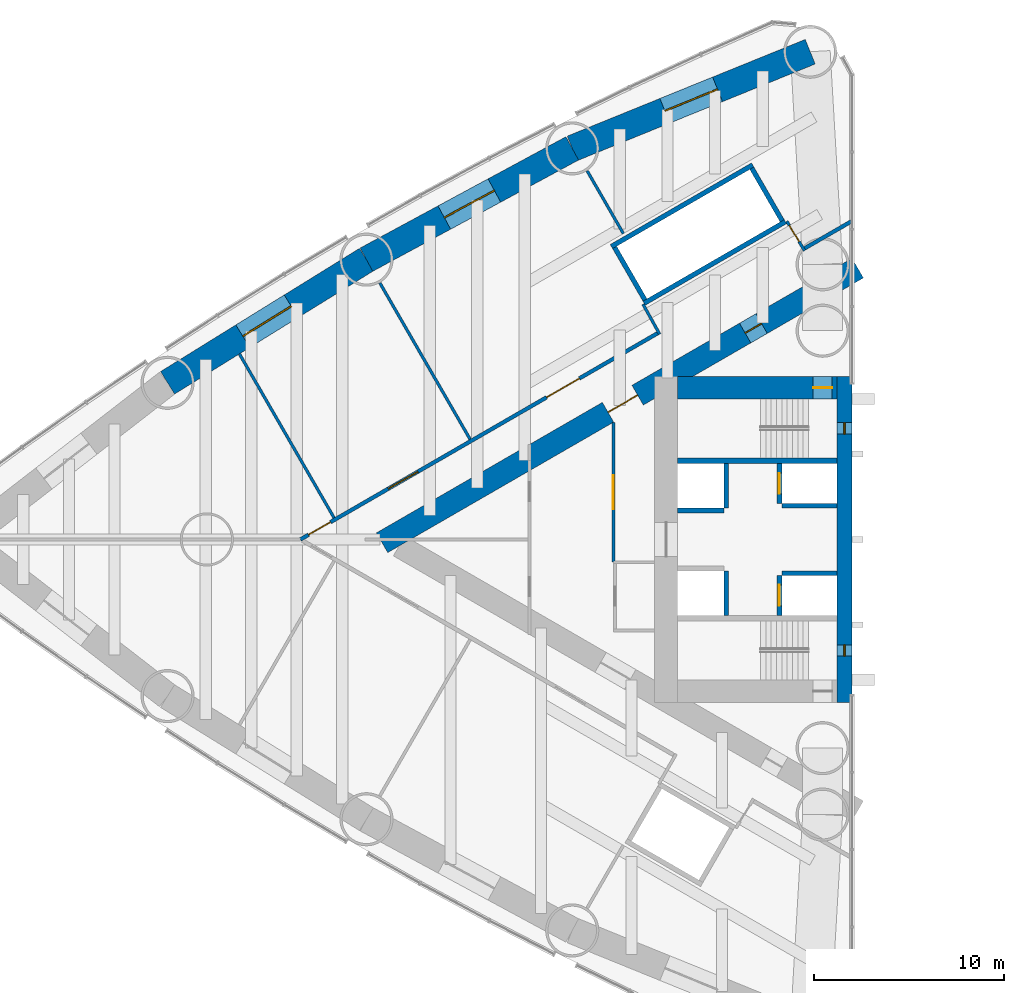
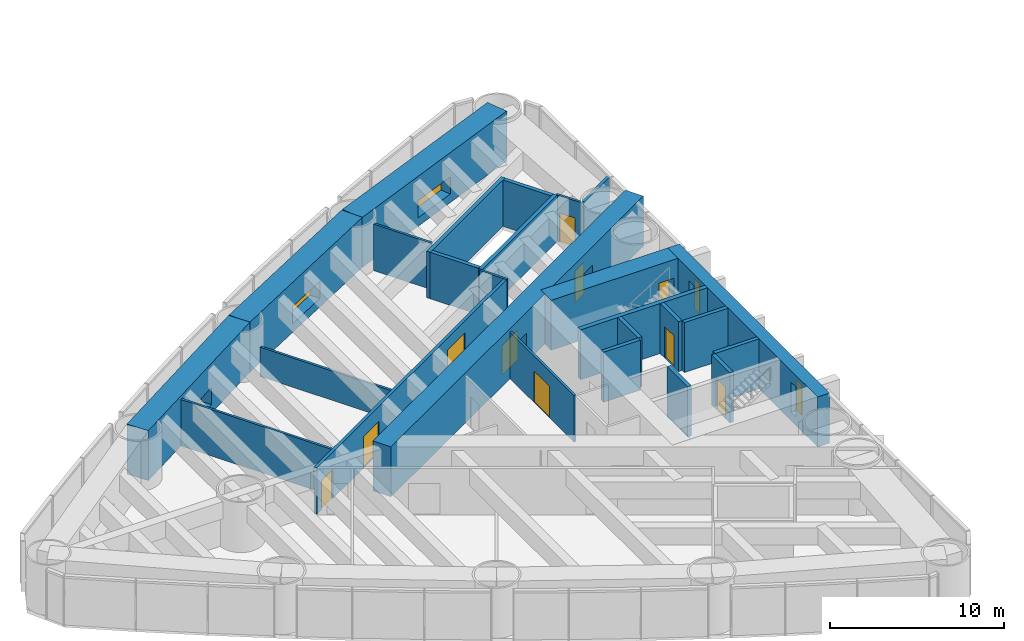
# One storey, part 16 of 20: 26 walls, 10 doors, 5 windows, 15 openings.
"""IFC4 building model written with IfcOpenShell, lengths in metres."""

from ifc_helpers import new_model, si_unit, direction, frame, frame_2d, origin, place, context, subcontext, project, spatial, rectangle, extrude, material, layer, layer_set, type_object, element, fill, save


model = new_model("IFC4")

# Units and contexts
model_context = context("Model", 3, precision=1e-05, world=origin(), true_north=direction((0.0, 1.0)))
body_context = subcontext(model_context, "Body", "Model", "MODEL_VIEW")
ifc_project = project(units=[si_unit("LENGTHUNIT", "METRE"), si_unit("AREAUNIT", "SQUARE_METRE"), si_unit("VOLUMEUNIT", "CUBIC_METRE"), si_unit("PLANEANGLEUNIT", "RADIAN"), si_unit("MASSUNIT", "GRAM", prefix="KILO")], contexts=[model_context])

# Site, building, storey
site_placement = place(None, origin())
site = spatial("IfcSite", under=ifc_project, at=site_placement, CompositionType="ELEMENT")
building_placement = place(site_placement, origin())
building = spatial("IfcBuilding", under=site, at=building_placement, Name="Lancet Gate Hotel", CompositionType="ELEMENT")
storey_placement = place(building_placement, frame((0.0, 0.0, 77.5)))
storey = spatial("IfcBuildingStorey", under=building, at=storey_placement, Name="L20", CompositionType="ELEMENT", Elevation=77.5)

# Wall, opening, window
ifc_material_1 = material(Name="Concrete C80/95", Category="concrete")
ifc_layer_1 = layer(ifc_material_1, 1.39990234375)
ifc_layer_set_1 = layer_set([ifc_layer_1], Name="Belt wall 1400")
wall_type_1 = type_object("IfcWallType", Name="Belt wall 1400", PredefinedType="SHEAR", material=ifc_layer_set_1)
wall_1_placement = place(storey_placement, frame((-29.703369140625, 25.70263671875, 0.0), z_axis=(0.0, 0.0, 1.0), x_axis=(-0.926463236197, -0.376385270667, 0.0)))
wall_1 = element("IfcWall", 1, at=wall_1_placement, inside=storey, type_object=wall_type_1, Name="T1 belt wall CS-OS1 L20", PredefinedType="SHEAR", context=body_context, shape_type="SweptSolid", body=[
    extrude(rectangle(XDim=13.537353515625, YDim=1.39990234375, at=frame_2d((6.7685546875, 0.0))), origin(), (0.0, 0.0, 1.0), 3.5),
])
opening_1_placement = place(wall_1_placement, frame((5.268798828125, 0.0, 0.60009765625)))
opening_1 = element("IfcOpeningElement", 2, at=opening_1_placement, cuts=wall_1, Name="Opening LV1", PredefinedType="OPENING", context=body_context, shape_type="SweptSolid", body=[
    extrude(rectangle(XDim=3.0, YDim=1.199951171875, at=frame_2d((1.5, 0.60009765625))), frame((0.0, 0.7099609375, 0.0), z_axis=(0.0, -1.0, 0.0), x_axis=(1.0, 0.0, 0.0)), (0.0, 0.0, 1.0), 1.419921875),
])
ifc_material_2 = material(Name="Aluminium weather louvre", Category="aluminium")
window_type_1 = type_object("IfcWindowType", Name="Refuge louvre 3000x1200", PartitioningType="SINGLE_PANEL", PredefinedType="WINDOW", material=ifc_material_2)
window_1_placement = place(opening_1_placement, origin())
window_1 = element("IfcWindow", 3, at=window_1_placement, inside=storey, type_object=window_type_1, Name="T1 belt louvre CS-OS1 L20", OverallHeight=1.199951171875, OverallWidth=3.0, PartitioningType="SINGLE_PANEL", PredefinedType="WINDOW", context=body_context, shape_type="SweptSolid", body=[
    extrude(rectangle(XDim=3.0, YDim=1.199951171875, at=frame_2d((1.5, 0.60009765625))), frame((0.0, 0.030029296875, 0.0), z_axis=(0.0, -1.0, 0.0), x_axis=(1.0, 0.0, 0.0)), (0.0, 0.0, 1.0), 0.06005859375),
])
fill(opening_1, window_1)

wall_2_placement = place(storey_placement, frame((-42.2451171875, 20.607421875, 0.0), z_axis=(0.0, 0.0, 1.0), x_axis=(-0.879692855603, -0.475542300749, 0.0)))
wall_2 = element("IfcWall", 4, at=wall_2_placement, inside=storey, type_object=wall_type_1, Name="T1 belt wall OS1-OS2 L20", PredefinedType="SHEAR", context=body_context, shape_type="SweptSolid", body=[
    extrude(rectangle(XDim=12.328125, YDim=1.39990234375, at=frame_2d((6.1640625, 0.0))), origin(), (0.0, 0.0, 1.0), 3.5),
])
opening_2_placement = place(wall_2_placement, frame((4.6640625, 0.0, 0.60009765625)))
opening_2 = element("IfcOpeningElement", 5, at=opening_2_placement, cuts=wall_2, Name="Opening LV1", PredefinedType="OPENING", context=body_context, shape_type="SweptSolid", body=[
    extrude(rectangle(XDim=3.0, YDim=1.199951171875, at=frame_2d((1.5, 0.60009765625))), frame((0.0, 0.7099609375, 0.0), z_axis=(0.0, -1.0, 0.0), x_axis=(1.0, 0.0, 0.0)), (0.0, 0.0, 1.0), 1.419921875),
])
window_2_placement = place(opening_2_placement, origin())
window_2 = element("IfcWindow", 6, at=window_2_placement, inside=storey, type_object=window_type_1, Name="T1 belt louvre OS1-OS2 L20", OverallHeight=1.199951171875, OverallWidth=3.0, PartitioningType="SINGLE_PANEL", PredefinedType="WINDOW", context=body_context, shape_type="SweptSolid", body=[
    extrude(rectangle(XDim=3.0, YDim=1.199951171875, at=frame_2d((1.5, 0.60009765625))), frame((0.0, 0.030029296875, 0.0), z_axis=(0.0, -1.0, 0.0), x_axis=(1.0, 0.0, 0.0)), (0.0, 0.0, 1.0), 0.06005859375),
])
fill(opening_2, window_2)

wall_3_placement = place(storey_placement, frame((-53.090087890625, 14.744873046875, 0.0), z_axis=(0.0, 0.0, 1.0), x_axis=(-0.850225894333, -0.526418016984, 0.0)))
wall_3 = element("IfcWall", 7, at=wall_3_placement, inside=storey, type_object=wall_type_1, Name="T1 belt wall OS2-OS3 L20", PredefinedType="SHEAR", context=body_context, shape_type="SweptSolid", body=[
    extrude(rectangle(XDim=12.328125, YDim=1.39990234375, at=frame_2d((6.1640625, 0.0))), origin(), (0.0, 0.0, 1.0), 3.5),
])
opening_3_placement = place(wall_3_placement, frame((4.6640625, 0.0, 0.60009765625)))
opening_3 = element("IfcOpeningElement", 8, at=opening_3_placement, cuts=wall_3, Name="Opening LV1", PredefinedType="OPENING", context=body_context, shape_type="SweptSolid", body=[
    extrude(rectangle(XDim=3.0, YDim=1.199951171875, at=frame_2d((1.5, 0.60009765625))), frame((0.0, 0.7099609375, 0.0), z_axis=(0.0, -1.0, 0.0), x_axis=(1.0, 0.0, 0.0)), (0.0, 0.0, 1.0), 1.419921875),
])
window_3_placement = place(opening_3_placement, origin())
window_3 = element("IfcWindow", 9, at=window_3_placement, inside=storey, type_object=window_type_1, Name="T1 belt louvre OS2-OS3 L20", OverallHeight=1.199951171875, OverallWidth=3.0, PartitioningType="SINGLE_PANEL", PredefinedType="WINDOW", context=body_context, shape_type="SweptSolid", body=[
    extrude(rectangle(XDim=3.0, YDim=1.199951171875, at=frame_2d((1.5, 0.60009765625))), frame((0.0, 0.030029296875, 0.0), z_axis=(0.0, -1.0, 0.0), x_axis=(1.0, 0.0, 0.0)), (0.0, 0.0, 1.0), 0.06005859375),
])
fill(opening_3, window_3)

# Wall, openings, doors
ifc_material_3 = material(Name="Concrete C70/85", Category="concrete")
ifc_layer_2 = layer(ifc_material_3, 1.199951171875)
ifc_layer_set_2 = layer_set([ifc_layer_2], Name="Buttress wall 1200")
wall_type_2 = type_object("IfcWallType", Name="Buttress wall 1200", PredefinedType="SHEAR", material=ifc_layer_set_2)
wall_4_placement = place(storey_placement, frame((-27.199951171875, 14.300048828125, 0.0), z_axis=(0.0, 0.0, 1.0), x_axis=(-0.866026593062, -0.499997940104, 0.0)))
wall_4 = element("IfcWall", 10, at=wall_4_placement, inside=storey, type_object=wall_type_2, Name="T1 buttress wall S L20", PredefinedType="SHEAR", context=body_context, shape_type="SweptSolid", body=[
    extrude(rectangle(XDim=28.9462890625, YDim=1.199951171875, at=frame_2d((14.47314453125, 0.0))), origin(), (0.0, 0.0, 1.0), 3.5),
])
opening_4_placement = place(wall_4_placement, frame((5.85009765625, 0.0, 0.0)))
opening_4 = element("IfcOpeningElement", 11, at=opening_4_placement, cuts=wall_4, Name="Opening T1-L20-LS", PredefinedType="OPENING", context=body_context, shape_type="SweptSolid", body=[
    extrude(rectangle(XDim=1.0, YDim=2.199951171875, at=frame_2d((0.5, 1.10009765625))), frame((0.0, 0.60986328125, 0.0), z_axis=(0.0, -1.0, 0.0), x_axis=(1.0, 0.0, 0.0)), (0.0, 0.0, 1.0), 1.219970703125),
])
opening_5_placement = place(wall_4_placement, frame((13.39453125, 0.0, 0.0)))
opening_5 = element("IfcOpeningElement", 12, at=opening_5_placement, cuts=wall_4, Name="Opening T1-L20-LHS", PredefinedType="OPENING", context=body_context, shape_type="SweptSolid", body=[
    extrude(rectangle(XDim=1.800048828125, YDim=2.0400390625, at=frame_2d((0.89990234375, 1.02001953125))), frame((0.0, 0.60986328125, 0.0), z_axis=(0.0, -1.0, 0.0), x_axis=(1.0, 0.0, 0.0)), (0.0, 0.0, 1.0), 1.219970703125),
])
ifc_material_4 = material(Name="Timber door set", Category="wood")
door_type_1 = type_object("IfcDoorType", Name="Lobby double door 1800, 2040 high", OperationType="DOUBLE_DOOR_SINGLE_SWING", PredefinedType="DOOR", material=ifc_material_4)
door_1_placement = place(opening_5_placement, origin())
door_1 = element("IfcDoor", 13, at=door_1_placement, inside=storey, type_object=door_type_1, Name="T1-L20-LHS", OperationType="DOUBLE_DOOR_SINGLE_SWING", OverallHeight=2.0400390625, OverallWidth=1.800048828125, PredefinedType="DOOR", context=body_context, shape_type="SweptSolid", body=[
    extrude(rectangle(XDim=1.800048828125, YDim=2.0400390625, at=frame_2d((0.89990234375, 1.02001953125))), frame((0.0, 0.02490234375, 0.0), z_axis=(0.0, -1.0, 0.0), x_axis=(1.0, 0.0, 0.0)), (0.0, 0.0, 1.0), 0.050048828125),
])
fill(opening_5, door_1)
ifc_material_5 = material(Name="Timber door set", Category="wood")
door_type_2 = type_object("IfcDoorType", Name="Stair lobby door 1000", OperationType="SINGLE_SWING_LEFT", PredefinedType="DOOR", material=ifc_material_5)
door_2_placement = place(opening_4_placement, origin())
door_2 = element("IfcDoor", 14, at=door_2_placement, inside=storey, type_object=door_type_2, Name="T1-L20-LS", OperationType="SINGLE_SWING_LEFT", OverallHeight=2.199951171875, OverallWidth=1.0, PredefinedType="DOOR", context=body_context, shape_type="SweptSolid", body=[
    extrude(rectangle(XDim=1.0, YDim=2.199951171875, at=frame_2d((0.5, 1.10009765625))), frame((0.0, 0.02490234375, 0.0), z_axis=(0.0, -1.0, 0.0), x_axis=(1.0, 0.0, 0.0)), (0.0, 0.0, 1.0), 0.050048828125),
])
fill(opening_4, door_2)

# Wall, opening, door
ifc_material_6 = material(Name="Concrete C70/85", Category="concrete")
ifc_layer_3 = layer(ifc_material_6, 1.199951171875)
ifc_layer_set_3 = layer_set([ifc_layer_3], Name="Core wall 1200")
wall_type_3 = type_object("IfcWallType", Name="Core wall 1200", PredefinedType="SHEAR", material=ifc_layer_set_3)
wall_5_placement = place(storey_placement, frame((-28.300048828125, 8.0, 0.0), z_axis=(0.0, 0.0, 1.0), x_axis=(-1.0, 0.0, 0.0)))
wall_5 = element("IfcWall", 15, at=wall_5_placement, inside=storey, type_object=wall_type_3, Name="T1 core wall side-S L20", PredefinedType="SHEAR", context=body_context, shape_type="SweptSolid", body=[
    extrude(rectangle(XDim=8.39990234375, YDim=1.199951171875, at=frame_2d((4.199951171875, 0.0))), origin(), (0.0, 0.0, 1.0), 3.5),
])
opening_6_placement = place(wall_5_placement, frame((0.25, 0.0, 0.0)))
opening_6 = element("IfcOpeningElement", 16, at=opening_6_placement, cuts=wall_5, Name="Opening T1-L20-ST1", PredefinedType="OPENING", context=body_context, shape_type="SweptSolid", body=[
    extrude(rectangle(XDim=1.0, YDim=2.199951171875, at=frame_2d((0.5, 1.10009765625))), frame((0.0, 0.60986328125, 0.0), z_axis=(0.0, -1.0, 0.0), x_axis=(1.0, 0.0, 0.0)), (0.0, 0.0, 1.0), 1.219970703125),
])
ifc_material_7 = material(Name="Timber door set", Category="wood")
door_type_3 = type_object("IfcDoorType", Name="Stair door 1000", OperationType="SINGLE_SWING_RIGHT", PredefinedType="DOOR", material=ifc_material_7)
door_3_placement = place(opening_6_placement, origin())
door_3 = element("IfcDoor", 17, at=door_3_placement, inside=storey, type_object=door_type_3, Name="T1-L20-ST1", OperationType="SINGLE_SWING_RIGHT", OverallHeight=2.199951171875, OverallWidth=1.0, PredefinedType="DOOR", context=body_context, shape_type="SweptSolid", body=[
    extrude(rectangle(XDim=1.0, YDim=2.199951171875, at=frame_2d((0.5, 1.10009765625))), frame((0.0, 0.02490234375, 0.0), z_axis=(0.0, -1.0, 0.0), x_axis=(1.0, 0.0, 0.0)), (0.0, 0.0, 1.0), 0.050048828125),
])
fill(opening_6, door_3)

# Wall, openings, windows
ifc_material_8 = material(Name="Concrete C70/85", Category="concrete")
ifc_layer_4 = layer(ifc_material_8, 0.800048828125)
ifc_layer_set_4 = layer_set([ifc_layer_4], Name="Core wall 800")
wall_type_4 = type_object("IfcWallType", Name="Core wall 800", PredefinedType="SHEAR", material=ifc_layer_set_4)
wall_6_placement = place(storey_placement, frame((-27.89990234375, 8.60009765625, 0.0), z_axis=(0.0, 0.0, 1.0), x_axis=(0.0, -1.0, 0.0)))
wall_6 = element("IfcWall", 18, at=wall_6_placement, inside=storey, type_object=wall_type_4, Name="T1 core wall front L20", PredefinedType="SHEAR", context=body_context, shape_type="SweptSolid", body=[
    extrude(rectangle(XDim=17.2001953125, YDim=0.800048828125, at=frame_2d((8.60009765625, 0.0))), origin(), (0.0, 0.0, 1.0), 3.5),
])
opening_7_placement = place(wall_6_placement, frame((2.449951171875, 0.0, 0.60009765625)))
opening_7 = element("IfcOpeningElement", 19, at=opening_7_placement, cuts=wall_6, Name="Opening LW1", PredefinedType="OPENING", context=body_context, shape_type="SweptSolid", body=[
    extrude(rectangle(XDim=0.60009765625, YDim=2.10009765625, at=frame_2d((0.300048828125, 1.050048828125))), frame((0.0, 0.409912109375, 0.0), z_axis=(0.0, -1.0, 0.0), x_axis=(1.0, 0.0, 0.0)), (0.0, 0.0, 1.0), 0.820068359375),
])
opening_8_placement = place(wall_6_placement, frame((14.14990234375, 0.0, 0.60009765625)))
opening_8 = element("IfcOpeningElement", 20, at=opening_8_placement, cuts=wall_6, Name="Opening LW1", PredefinedType="OPENING", context=body_context, shape_type="SweptSolid", body=[
    extrude(rectangle(XDim=0.60009765625, YDim=2.10009765625, at=frame_2d((0.300048828125, 1.050048828125))), frame((0.0, 0.409912109375, 0.0), z_axis=(0.0, -1.0, 0.0), x_axis=(1.0, 0.0, 0.0)), (0.0, 0.0, 1.0), 0.820068359375),
])
ifc_material_9 = material(Name="Fire-resisting glazed steel window", Category="steel")
window_type_2 = type_object("IfcWindowType", Name="Lancet window 600x2100", PartitioningType="SINGLE_PANEL", PredefinedType="WINDOW", material=ifc_material_9)
window_4_placement = place(opening_7_placement, origin())
window_4 = element("IfcWindow", 21, at=window_4_placement, inside=storey, type_object=window_type_2, Name="T1 stair window S L20", OverallHeight=2.10009765625, OverallWidth=0.60009765625, PartitioningType="SINGLE_PANEL", PredefinedType="WINDOW", context=body_context, shape_type="SweptSolid", body=[
    extrude(rectangle(XDim=0.60009765625, YDim=2.10009765625, at=frame_2d((0.300048828125, 1.050048828125))), frame((0.0, 0.030029296875, 0.0), z_axis=(0.0, -1.0, 0.0), x_axis=(1.0, 0.0, 0.0)), (0.0, 0.0, 1.0), 0.06005859375),
])
fill(opening_7, window_4)
window_5_placement = place(opening_8_placement, origin())
window_5 = element("IfcWindow", 22, at=window_5_placement, inside=storey, type_object=window_type_2, Name="T1 stair window N L20", OverallHeight=2.10009765625, OverallWidth=0.60009765625, PartitioningType="SINGLE_PANEL", PredefinedType="WINDOW", context=body_context, shape_type="SweptSolid", body=[
    extrude(rectangle(XDim=0.60009765625, YDim=2.10009765625, at=frame_2d((0.300048828125, 1.050048828125))), frame((0.0, 0.030029296875, 0.0), z_axis=(0.0, -1.0, 0.0), x_axis=(1.0, 0.0, 0.0)), (0.0, 0.0, 1.0), 0.06005859375),
])
fill(opening_8, window_5)

# Wall
ifc_material_10 = material(Name="Gypsum board partition")
ifc_layer_5 = layer(ifc_material_10, 0.199951171875)
ifc_layer_set_5 = layer_set([ifc_layer_5], Name="Corridor wall 200")
wall_type_5 = type_object("IfcWallType", Name="Corridor wall 200", PredefinedType="PARTITIONING", material=ifc_layer_set_5)
wall_7_placement = place(storey_placement, frame((-27.5, 16.782470703125, 0.0), z_axis=(0.0, 0.0, 1.0), x_axis=(-0.866045812642, -0.499964649156, 0.0)))
element("IfcWall", 23, at=wall_7_placement, inside=storey, type_object=wall_type_5, Name="T1 corridor wall 200 L20", PredefinedType="PARTITIONING", context=body_context, shape_type="SweptSolid", body=[
    extrude(rectangle(XDim=2.937744140625, YDim=0.199951171875, at=frame_2d((1.46875, 0.0))), origin(), (0.0, 0.0, 1.0), 3.25),
])

# Wall, openings, doors
wall_8_placement = place(storey_placement, frame((-37.699951171875, 10.8935546875, 0.0), z_axis=(0.0, 0.0, 1.0), x_axis=(-0.866027905338, -0.499995667157, 0.0)))
wall_8 = element("IfcWall", 24, at=wall_8_placement, inside=storey, type_object=wall_type_5, Name="T1 corridor wall 200 L20", PredefinedType="PARTITIONING", context=body_context, shape_type="SweptSolid", body=[
    extrude(rectangle(XDim=21.787353515625, YDim=0.199951171875, at=frame_2d((10.8935546875, 0.0))), origin(), (0.0, 0.0, 1.0), 3.25),
])
opening_9_placement = place(wall_8_placement, frame((14.643798828125, 0.0, 0.0)))
opening_9 = element("IfcOpeningElement", 25, at=opening_9_placement, cuts=wall_8, Name="Opening T1-L20-A03", PredefinedType="OPENING", context=body_context, shape_type="SweptSolid", body=[
    extrude(rectangle(XDim=1.800048828125, YDim=2.199951171875, at=frame_2d((0.89990234375, 1.10009765625))), frame((0.0, 0.10986328125, 0.0), z_axis=(0.0, -1.0, 0.0), x_axis=(1.0, 0.0, 0.0)), (0.0, 0.0, 1.0), 0.219970703125),
])
opening_10_placement = place(wall_8_placement, frame((19.9580078125, 0.0, 0.0)))
opening_10 = element("IfcOpeningElement", 26, at=opening_10_placement, cuts=wall_8, Name="Opening T1-L20-A04", PredefinedType="OPENING", context=body_context, shape_type="SweptSolid", body=[
    extrude(rectangle(XDim=1.3291015625, YDim=2.0400390625, at=frame_2d((0.66455078125, 1.02001953125))), frame((0.0, 0.10986328125, 0.0), z_axis=(0.0, -1.0, 0.0), x_axis=(1.0, 0.0, 0.0)), (0.0, 0.0, 1.0), 0.219970703125),
])
opening_11_placement = place(wall_8_placement, frame((4.81494140625, 0.0, 0.0)))
opening_11 = element("IfcOpeningElement", 27, at=opening_11_placement, cuts=wall_8, Name="Opening T1-L20-A02", PredefinedType="OPENING", context=body_context, shape_type="SweptSolid", body=[
    extrude(rectangle(XDim=2.0, YDim=2.39990234375, at=frame_2d((1.0, 1.199951171875))), frame((0.0, 0.10986328125, 0.0), z_axis=(0.0, -1.0, 0.0), x_axis=(1.0, 0.0, 0.0)), (0.0, 0.0, 1.0), 0.219970703125),
])
ifc_material_11 = material(Name="Timber door set", Category="wood")
door_type_4 = type_object("IfcDoorType", Name="Double door 1800", OperationType="DOUBLE_DOOR_SINGLE_SWING", PredefinedType="DOOR", material=ifc_material_11)
door_4_placement = place(opening_9_placement, origin())
door_4 = element("IfcDoor", 28, at=door_4_placement, inside=storey, type_object=door_type_4, Name="T1-L20-A03", OperationType="DOUBLE_DOOR_SINGLE_SWING", OverallHeight=2.199951171875, OverallWidth=1.800048828125, PredefinedType="DOOR", context=body_context, shape_type="SweptSolid", body=[
    extrude(rectangle(XDim=1.800048828125, YDim=2.199951171875, at=frame_2d((0.89990234375, 1.10009765625))), frame((0.0, 0.02490234375, 0.0), z_axis=(0.0, -1.0, 0.0), x_axis=(1.0, 0.0, 0.0)), (0.0, 0.0, 1.0), 0.050048828125),
])
fill(opening_9, door_4)
ifc_material_12 = material(Name="Timber door set", Category="wood")
door_type_5 = type_object("IfcDoorType", Name="Guest room entry door 950, 2040 high", OperationType="SINGLE_SWING_LEFT", PredefinedType="DOOR", material=ifc_material_12)
door_5_placement = place(opening_10_placement, origin())
door_5 = element("IfcDoor", 29, at=door_5_placement, inside=storey, type_object=door_type_5, Name="T1-L20-A04", OperationType="SINGLE_SWING_LEFT", OverallHeight=2.0400390625, OverallWidth=1.3291015625, PredefinedType="DOOR", context=body_context, shape_type="SweptSolid", body=[
    extrude(rectangle(XDim=1.3291015625, YDim=2.0400390625, at=frame_2d((0.66455078125, 1.02001953125))), frame((0.0, 0.02490234375, 0.0), z_axis=(0.0, -1.0, 0.0), x_axis=(1.0, 0.0, 0.0)), (0.0, 0.0, 1.0), 0.050048828125),
])
fill(opening_10, door_5)
ifc_material_13 = material(Name="Timber door set", Category="wood")
door_type_6 = type_object("IfcDoorType", Name="Plant room double door 2000", OperationType="DOUBLE_DOOR_SINGLE_SWING", PredefinedType="DOOR", material=ifc_material_13)
door_6_placement = place(opening_11_placement, origin())
door_6 = element("IfcDoor", 30, at=door_6_placement, inside=storey, type_object=door_type_6, Name="T1-L20-A02", OperationType="DOUBLE_DOOR_SINGLE_SWING", OverallHeight=2.39990234375, OverallWidth=2.0, PredefinedType="DOOR", context=body_context, shape_type="SweptSolid", body=[
    extrude(rectangle(XDim=2.0, YDim=2.39990234375, at=frame_2d((1.0, 1.199951171875))), frame((0.0, 0.02490234375, 0.0), z_axis=(0.0, -1.0, 0.0), x_axis=(1.0, 0.0, 0.0)), (0.0, 0.0, 1.0), 0.050048828125),
])
fill(opening_11, door_6)

# Walls
ifc_material_14 = material(Name="Gypsum board partition")
ifc_layer_6 = layer(ifc_material_14, 0.25)
ifc_layer_set_6 = layer_set([ifc_layer_6], Name="Lift shaft partition 250")
wall_type_6 = type_object("IfcWallType", Name="Lift shaft partition 250", PredefinedType="PARTITIONING", material=ifc_layer_set_6)
for number, where, z_axis, x_axis, name in (
    (31, (-31.010498046875, 16.747314453125, 0.0), (0.0, 0.0, 1.0), (-0.866028165386, -0.499995216735, 0.0), "T1 lift shaft wall LR L20"),
    (32, (-32.735595703125, 19.73583984375, 0.0), (0.0, 0.0, 1.0), (-0.866028165386, -0.499995216735, 0.0), "T1 lift shaft wall LR L20"),
):
    element("IfcWall", number, at=place(storey_placement, frame(where, z_axis=z_axis, x_axis=x_axis)), inside=storey, type_object=wall_type_6, Name=name, PredefinedType="PARTITIONING", context=body_context, shape_type="SweptSolid", body=[
        extrude(rectangle(XDim=8.60009765625, YDim=0.25, at=frame_2d((4.300048828125, 0.0))), origin(), (0.0, 0.0, 1.0), 3.25),
    ])
wall_9_placement = place(storey_placement, frame((-31.18115234375, 16.79296875, 0.0), z_axis=(0.0, 0.0, 1.0), x_axis=(-0.499929347863, 0.866066190972, 0.0)))
element("IfcWall", 33, at=wall_9_placement, inside=storey, type_object=wall_type_6, Name="T1 lift shaft wall LR L20", PredefinedType="PARTITIONING", context=body_context, shape_type="SweptSolid", body=[
    extrude(rectangle(XDim=3.20068359375, YDim=0.25, at=frame_2d((1.600341796875, 0.0))), origin(), (0.0, 0.0, 1.0), 3.25),
])
wall_10_placement = place(storey_placement, frame((-38.412841796875, 12.617919921875, 0.0), z_axis=(0.0, 0.0, 1.0), x_axis=(-0.499872130319, 0.866099216793, 0.0)))
element("IfcWall", 34, at=wall_10_placement, inside=storey, type_object=wall_type_6, Name="T1 lift shaft wall LR L20", PredefinedType="PARTITIONING", context=body_context, shape_type="SweptSolid", body=[
    extrude(rectangle(XDim=3.200439453125, YDim=0.25, at=frame_2d((1.60009765625, 0.0))), origin(), (0.0, 0.0, 1.0), 3.25),
])

# Wall, opening, door
ifc_material_15 = material(Name="Concrete C50/60", Category="concrete")
ifc_layer_7 = layer(ifc_material_15, 0.25)
ifc_layer_set_7 = layer_set([ifc_layer_7], Name="Lift shaft wall 250")
wall_type_7 = type_object("IfcWallType", Name="Lift shaft wall 250", PredefinedType="SHEAR", material=ifc_layer_set_7)
wall_11_placement = place(storey_placement, frame((-31.324951171875, 4.0, 0.0), z_axis=(0.0, 0.0, 1.0), x_axis=(0.0, -1.0, 0.0)))
wall_11 = element("IfcWall", 35, at=wall_11_placement, inside=storey, type_object=wall_type_7, Name="T1 core wall row1-S L20", PredefinedType="SHEAR", context=body_context, shape_type="SweptSolid", body=[
    extrude(rectangle(XDim=2.10009765625, YDim=0.25, at=frame_2d((1.050048828125, 0.0))), origin(), (0.0, 0.0, 1.0), 3.5),
])
opening_12_placement = place(wall_11_placement, frame((0.5, 0.0, 0.0)))
opening_12 = element("IfcOpeningElement", 36, at=opening_12_placement, cuts=wall_11, Name="Opening T1-SL1-L20", PredefinedType="OPENING", context=body_context, shape_type="SweptSolid", body=[
    extrude(rectangle(XDim=1.10009765625, YDim=2.199951171875, at=frame_2d((0.550048828125, 1.10009765625))), frame((0.0, 0.135009765625, 0.0), z_axis=(0.0, -1.0, 0.0), x_axis=(1.0, 0.0, 0.0)), (0.0, 0.0, 1.0), 0.27001953125),
])
ifc_material_16 = material(Name="Timber door set", Category="wood")
door_type_7 = type_object("IfcDoorType", Name="Service lift landing door 1100", OperationType="SLIDING_TO_LEFT", PredefinedType="USERDEFINED", material=ifc_material_16)
door_7_placement = place(opening_12_placement, origin())
door_7 = element("IfcDoor", 37, at=door_7_placement, inside=storey, type_object=door_type_7, Name="T1-SL1-L20", ObjectType="LIFT LANDING DOOR", OperationType="SLIDING_TO_LEFT", OverallHeight=2.199951171875, OverallWidth=1.10009765625, PredefinedType="USERDEFINED", context=body_context, shape_type="SweptSolid", body=[
    extrude(rectangle(XDim=1.10009765625, YDim=2.199951171875, at=frame_2d((0.550048828125, 1.10009765625))), frame((0.0, 0.02490234375, 0.0), z_axis=(0.0, -1.0, 0.0), x_axis=(1.0, 0.0, 0.0)), (0.0, 0.0, 1.0), 0.050048828125),
])
fill(opening_12, door_7)

# Walls
wall_12_placement = place(storey_placement, frame((-34.125, 4.0, 0.0), z_axis=(0.0, 0.0, 1.0), x_axis=(0.0, -1.0, 0.0)))
element("IfcWall", 38, at=wall_12_placement, inside=storey, type_object=wall_type_7, Name="T1 core wall row2-S L20", PredefinedType="SHEAR", context=body_context, shape_type="SweptSolid", body=[
    extrude(rectangle(XDim=2.35009765625, YDim=0.25, at=frame_2d((1.175048828125, 0.0))), origin(), (0.0, 0.0, 1.0), 3.5),
])
wall_13_placement = place(storey_placement, frame((-28.300048828125, 1.77490234375, 0.0), z_axis=(0.0, 0.0, 1.0), x_axis=(-1.0, 0.0, 0.0)))
element("IfcWall", 39, at=wall_13_placement, inside=storey, type_object=wall_type_7, Name="T1 core wall pass1-S L20", PredefinedType="SHEAR", context=body_context, shape_type="SweptSolid", body=[
    extrude(rectangle(XDim=2.89990234375, YDim=0.25, at=frame_2d((1.449951171875, 0.0))), origin(), (0.0, 0.0, 1.0), 3.5),
])
wall_14_placement = place(storey_placement, frame((-34.25, 1.52490234375, 0.0), z_axis=(0.0, 0.0, 1.0), x_axis=(-1.0, 0.0, 0.0)))
element("IfcWall", 40, at=wall_14_placement, inside=storey, type_object=wall_type_7, Name="T1 core wall pass2-S L20", PredefinedType="SHEAR", context=body_context, shape_type="SweptSolid", body=[
    extrude(rectangle(XDim=2.449951171875, YDim=0.25, at=frame_2d((1.22509765625, 0.0))), origin(), (0.0, 0.0, 1.0), 3.5),
])

# Wall, opening, door
wall_15_placement = place(storey_placement, frame((-31.324951171875, -1.89990234375, 0.0), z_axis=(0.0, 0.0, 1.0), x_axis=(0.0, -1.0, 0.0)))
wall_15 = element("IfcWall", 41, at=wall_15_placement, inside=storey, type_object=wall_type_7, Name="T1 core wall row1-N L20", PredefinedType="SHEAR", context=body_context, shape_type="SweptSolid", body=[
    extrude(rectangle(XDim=2.10009765625, YDim=0.25, at=frame_2d((1.050048828125, 0.0))), origin(), (0.0, 0.0, 1.0), 3.5),
])
opening_13_placement = place(wall_15_placement, frame((0.5, 0.0, 0.0)))
opening_13 = element("IfcOpeningElement", 42, at=opening_13_placement, cuts=wall_15, Name="Opening T1-FL2-L20", PredefinedType="OPENING", context=body_context, shape_type="SweptSolid", body=[
    extrude(rectangle(XDim=1.10009765625, YDim=2.199951171875, at=frame_2d((0.550048828125, 1.10009765625))), frame((0.0, 0.135009765625, 0.0), z_axis=(0.0, -1.0, 0.0), x_axis=(1.0, 0.0, 0.0)), (0.0, 0.0, 1.0), 0.27001953125),
])
ifc_material_17 = material(Name="Steel door set", Category="steel")
door_type_8 = type_object("IfcDoorType", Name="Firefighting lift landing door 1100", OperationType="SLIDING_TO_LEFT", PredefinedType="USERDEFINED", material=ifc_material_17)
door_8_placement = place(opening_13_placement, origin())
door_8 = element("IfcDoor", 43, at=door_8_placement, inside=storey, type_object=door_type_8, Name="T1-FL2-L20", ObjectType="LIFT LANDING DOOR", OperationType="SLIDING_TO_LEFT", OverallHeight=2.199951171875, OverallWidth=1.10009765625, PredefinedType="USERDEFINED", context=body_context, shape_type="SweptSolid", body=[
    extrude(rectangle(XDim=1.10009765625, YDim=2.199951171875, at=frame_2d((0.550048828125, 1.10009765625))), frame((0.0, 0.02490234375, 0.0), z_axis=(0.0, -1.0, 0.0), x_axis=(1.0, 0.0, 0.0)), (0.0, 0.0, 1.0), 0.050048828125),
])
fill(opening_13, door_8)

# Walls
wall_16_placement = place(storey_placement, frame((-34.125, -1.64990234375, 0.0), z_axis=(0.0, 0.0, 1.0), x_axis=(0.0, -1.0, 0.0)))
element("IfcWall", 44, at=wall_16_placement, inside=storey, type_object=wall_type_7, Name="T1 core wall row2-N L20", PredefinedType="SHEAR", context=body_context, shape_type="SweptSolid", body=[
    extrude(rectangle(XDim=2.35009765625, YDim=0.25, at=frame_2d((1.175048828125, 0.0))), origin(), (0.0, 0.0, 1.0), 3.5),
])
wall_17_placement = place(storey_placement, frame((-28.300048828125, -1.77490234375, 0.0), z_axis=(0.0, 0.0, 1.0), x_axis=(-1.0, 0.0, 0.0)))
element("IfcWall", 45, at=wall_17_placement, inside=storey, type_object=wall_type_7, Name="T1 core wall pass1-N L20", PredefinedType="SHEAR", context=body_context, shape_type="SweptSolid", body=[
    extrude(rectangle(XDim=2.89990234375, YDim=0.25, at=frame_2d((1.449951171875, 0.0))), origin(), (0.0, 0.0, 1.0), 3.5),
])
ifc_material_18 = material(Name="Gypsum board partition")
ifc_layer_8 = layer(ifc_material_18, 0.14990234375)
ifc_layer_set_8 = layer_set([ifc_layer_8], Name="Party wall 150")
wall_type_8 = type_object("IfcWallType", Name="Party wall 150", PredefinedType="PARTITIONING", material=ifc_layer_set_8)
wall_18_placement = place(storey_placement, frame((-47.626708984375, 5.27783203125, 0.0), z_axis=(0.0, 0.0, 1.0), x_axis=(-0.500009844318, 0.86601972009, 0.0)))
element("IfcWall", 46, at=wall_18_placement, inside=storey, type_object=wall_type_8, Name="T1 party wall 150 L20", PredefinedType="PARTITIONING", context=body_context, shape_type="SweptSolid", body=[
    extrude(rectangle(XDim=9.510498046875, YDim=0.14990234375, at=frame_2d((4.75537109375, 0.0))), origin(), (0.0, 0.0, 1.0), 2.050048828125),
])
wall_19_placement = place(storey_placement, frame((-54.796142578125, 1.138671875, 0.0), z_axis=(0.0, 0.0, 1.0), x_axis=(-0.500000698915, 0.866025000265, 0.0)))
element("IfcWall", 47, at=wall_19_placement, inside=storey, type_object=wall_type_8, Name="T1 party wall 150 L20", PredefinedType="PARTITIONING", context=body_context, shape_type="SweptSolid", body=[
    extrude(rectangle(XDim=9.97509765625, YDim=0.14990234375, at=frame_2d((4.987548828125, 0.0))), origin(), (0.0, 0.0, 1.0), 3.25),
])
wall_20_placement = place(storey_placement, frame((-39.55078125, 16.11865234375, 0.0), z_axis=(0.0, 0.0, 1.0), x_axis=(-0.500014214979, 0.866017196607, 0.0)))
element("IfcWall", 48, at=wall_20_placement, inside=storey, type_object=wall_type_8, Name="T1 party wall 150 L20", PredefinedType="PARTITIONING", context=body_context, shape_type="SweptSolid", body=[
    extrude(rectangle(XDim=3.81494140625, YDim=0.14990234375, at=frame_2d((1.907470703125, 0.0))), origin(), (0.0, 0.0, 1.0), 3.25),
])

# Wall, opening, door
ifc_material_19 = material(Name="Gypsum board partition")
ifc_layer_9 = layer(ifc_material_19, 0.14990234375)
ifc_layer_set_9 = layer_set([ifc_layer_9], Name="Service room wall 150")
wall_type_9 = type_object("IfcWallType", Name="Service room wall 150", PredefinedType="PARTITIONING", material=ifc_layer_set_9)
wall_21_placement = place(storey_placement, frame((-30.00732421875, 15.219482421875, 0.0), z_axis=(0.0, 0.0, 1.0), x_axis=(-0.514296815006, 0.857612258585, 0.0)))
wall_21 = element("IfcWall", 49, at=wall_21_placement, inside=storey, type_object=wall_type_9, Name="T1 service room wall 150 L20", PredefinedType="PARTITIONING", context=body_context, shape_type="SweptSolid", body=[
    extrude(rectangle(XDim=1.804931640625, YDim=0.14990234375, at=frame_2d((0.90234375, 0.0))), origin(), (0.0, 0.0, 1.0), 3.25),
])
opening_14_placement = place(wall_21_placement, frame((0.552001953125, 0.0, 0.0)))
opening_14 = element("IfcOpeningElement", 50, at=opening_14_placement, cuts=wall_21, Name="Opening T1-L20-A01", PredefinedType="OPENING", context=body_context, shape_type="SweptSolid", body=[
    extrude(rectangle(XDim=1.0, YDim=2.0400390625, at=frame_2d((0.5, 1.02001953125))), frame((0.0, 0.0849609375, 0.0), z_axis=(0.0, -1.0, 0.0), x_axis=(1.0, 0.0, 0.0)), (0.0, 0.0, 1.0), 0.169921875),
])
ifc_material_20 = material(Name="Timber door set", Category="wood")
door_type_9 = type_object("IfcDoorType", Name="Service door 1000, 2040 high", OperationType="SINGLE_SWING_LEFT", PredefinedType="DOOR", material=ifc_material_20)
door_9_placement = place(opening_14_placement, origin())
door_9 = element("IfcDoor", 51, at=door_9_placement, inside=storey, type_object=door_type_9, Name="T1-L20-A01", OperationType="SINGLE_SWING_LEFT", OverallHeight=2.0400390625, OverallWidth=1.0, PredefinedType="DOOR", context=body_context, shape_type="SweptSolid", body=[
    extrude(rectangle(XDim=1.0, YDim=2.0400390625, at=frame_2d((0.5, 1.02001953125))), frame((0.0, 0.02490234375, 0.0), z_axis=(0.0, -1.0, 0.0), x_axis=(1.0, 0.0, 0.0)), (0.0, 0.0, 1.0), 0.050048828125),
])
fill(opening_14, door_9)

# Wall
wall_22_placement = place(storey_placement, frame((-38.513427734375, 12.392333984375, 0.0), z_axis=(0.0, 0.0, 1.0), x_axis=(0.485585508183, -0.874189175317, 0.0)))
element("IfcWall", 52, at=wall_22_placement, inside=storey, type_object=wall_type_9, Name="T1 service room wall 150 L20", PredefinedType="PARTITIONING", context=body_context, shape_type="SweptSolid", body=[
    extrude(rectangle(XDim=1.804931640625, YDim=0.14990234375, at=frame_2d((0.90234375, 0.0))), origin(), (0.0, 0.0, 1.0), 3.25),
])

# Wall, opening, door
wall_23_placement = place(storey_placement, frame((-40.074951171875, 6.173828125, 0.0), z_axis=(0.0, 0.0, 1.0), x_axis=(0.0, -1.0, 0.0)))
wall_23 = element("IfcWall", 53, at=wall_23_placement, inside=storey, type_object=wall_type_9, Name="T1 service room wall 150 L20", PredefinedType="PARTITIONING", context=body_context, shape_type="SweptSolid", body=[
    extrude(rectangle(XDim=7.373779296875, YDim=0.14990234375, at=frame_2d((3.68701171875, 0.0))), origin(), (0.0, 0.0, 1.0), 3.25),
])
opening_15_placement = place(wall_23_placement, frame((2.786865234375, 0.0, 0.0)))
opening_15 = element("IfcOpeningElement", 54, at=opening_15_placement, cuts=wall_23, Name="Opening T1-L20-LH", PredefinedType="OPENING", context=body_context, shape_type="SweptSolid", body=[
    extrude(rectangle(XDim=1.800048828125, YDim=2.199951171875, at=frame_2d((0.89990234375, 1.10009765625))), frame((0.0, 0.0849609375, 0.0), z_axis=(0.0, -1.0, 0.0), x_axis=(1.0, 0.0, 0.0)), (0.0, 0.0, 1.0), 0.169921875),
])
ifc_material_21 = material(Name="Timber door set", Category="wood")
door_type_10 = type_object("IfcDoorType", Name="Lobby double door 1800", OperationType="DOUBLE_DOOR_SINGLE_SWING", PredefinedType="DOOR", material=ifc_material_21)
door_10_placement = place(opening_15_placement, origin())
door_10 = element("IfcDoor", 55, at=door_10_placement, inside=storey, type_object=door_type_10, Name="T1-L20-LH", OperationType="DOUBLE_DOOR_SINGLE_SWING", OverallHeight=2.199951171875, OverallWidth=1.800048828125, PredefinedType="DOOR", context=body_context, shape_type="SweptSolid", body=[
    extrude(rectangle(XDim=1.800048828125, YDim=2.199951171875, at=frame_2d((0.89990234375, 1.10009765625))), frame((0.0, 0.02490234375, 0.0), z_axis=(0.0, -1.0, 0.0), x_axis=(1.0, 0.0, 0.0)), (0.0, 0.0, 1.0), 0.050048828125),
])
fill(opening_15, door_10)

# Wall
ifc_material_22 = material(Name="Concrete C50/60", Category="concrete")
ifc_layer_10 = layer(ifc_material_22, 0.300048828125)
ifc_layer_set_10 = layer_set([ifc_layer_10], Name="Stair enclosure wall 300")
wall_type_10 = type_object("IfcWallType", Name="Stair enclosure wall 300", PredefinedType="SHEAR", material=ifc_layer_set_10)
wall_24_placement = place(storey_placement, frame((-28.300048828125, 4.14990234375, 0.0), z_axis=(0.0, 0.0, 1.0), x_axis=(-1.0, 0.0, 0.0)))
element("IfcWall", 56, at=wall_24_placement, inside=storey, type_object=wall_type_10, Name="T1 core wall stair-S L20", PredefinedType="SHEAR", context=body_context, shape_type="SweptSolid", body=[
    extrude(rectangle(XDim=8.39990234375, YDim=0.300048828125, at=frame_2d((4.199951171875, 0.0))), origin(), (0.0, 0.0, 1.0), 3.5),
])

save(model, "model.ifc")
